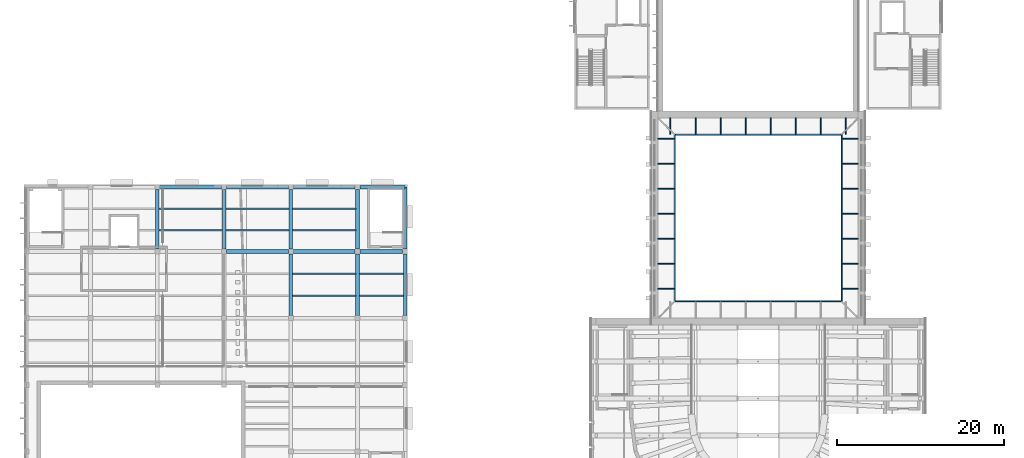
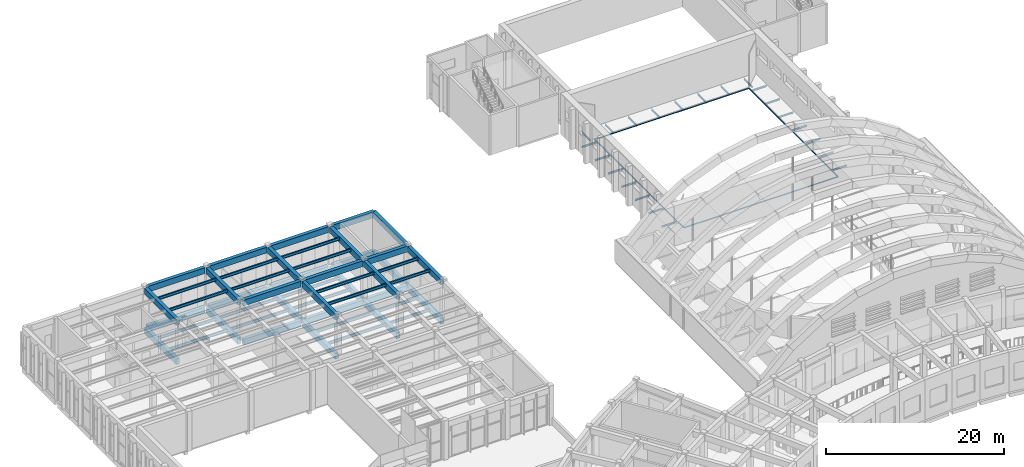
# One storey, part 48 of 94: 50 beams, 26 members.
"""IFC4 building model written with IfcOpenShell, lengths in metres."""

import ifcopenshell
import ifcopenshell.guid

model = None  # the IFC model being written
_history = None  # IfcOwnerHistory: only IFC2X3 demands one
_inside = {}  # id of a spatial element -> (the spatial element, [elements in it])
_under = {}  # id of a project, library or spatial element -> (it, [spatial elements below it])
_declared = {}  # id of a project -> (the project, [libraries it declares])
_typed = {}  # id of a type object -> (the type object, [elements of that type])
_made_of = {}  # id of a material, layer set ... -> (it, [elements and type objects made of it])


def new_model(schema):
    """Start an empty IFC model of exactly this schema.

    Asked for "IFC4X3", IfcOpenShell would pick the latest addendum, in which some entities
    have other attributes; the version numbers below select the first issue.
    IFC2X3 requires an IfcOwnerHistory on every rooted entity: one is made here for all.
    """
    global model, _history
    if schema == "IFC4X3":
        model = ifcopenshell.file(schema_version=(4, 3, 0, 0))
    else:
        model = ifcopenshell.file(schema=schema)
    _inside.clear()
    _under.clear()
    _declared.clear()
    _typed.clear()
    _made_of.clear()
    _history = None
    if model.schema == "IFC2X3":
        org = make("IfcOrganization", Name="unknown")
        user = make(
            "IfcPersonAndOrganization",
            ThePerson=make("IfcPerson", FamilyName="unknown"),
            TheOrganization=org,
        )
        app = make(
            "IfcApplication",
            ApplicationDeveloper=org,
            Version="unknown",
            ApplicationFullName="unknown",
            ApplicationIdentifier="unknown",
        )
        _history = make(
            "IfcOwnerHistory",
            OwningUser=user,
            OwningApplication=app,
            ChangeAction="ADDED",
            CreationDate=0,
        )
    return model


def make(cls, **values):
    """One entity of the class cls with the attributes given. An attribute that is None is left unset."""
    return model.create_entity(
        cls, **{name: value for name, value in values.items() if value is not None}
    )


def rooted(cls, **values):
    """An entity with a GlobalId (a new one), such as an element, a storey or a relation."""
    return make(cls, GlobalId=ifcopenshell.guid.new(), OwnerHistory=_history, **values)


def si_unit(unit_type, name, prefix=None):
    """IfcSIUnit, for example si_unit("LENGTHUNIT", "METRE", prefix="MILLI")."""
    return make("IfcSIUnit", UnitType=unit_type, Prefix=prefix, Name=name)


def assignment(units):
    """IfcUnitAssignment: the units of a project."""
    return None if units is None else make("IfcUnitAssignment", Units=units)


def point(xyz):
    """IfcCartesianPoint."""
    return None if xyz is None else make("IfcCartesianPoint", Coordinates=xyz)


def direction(xyz):
    """IfcDirection."""
    return None if xyz is None else make("IfcDirection", DirectionRatios=xyz)


def frame(location, z_axis=None, x_axis=None):
    """IfcAxis2Placement3D, a coordinate frame: its origin and axes. An axis left out is left unset."""
    return make(
        "IfcAxis2Placement3D",
        Location=point(location),
        Axis=direction(z_axis),
        RefDirection=direction(x_axis),
    )


def frame_2d(location, x_axis=None):
    """IfcAxis2Placement2D, a coordinate frame in the plane: its origin and x axis."""
    return make(
        "IfcAxis2Placement2D", Location=point(location), RefDirection=direction(x_axis)
    )


def origin():
    """The frame at (0, 0, 0) with its axes left unset."""
    return frame((0.0, 0.0, 0.0))


def origin_2d():
    """The frame at (0, 0) in the plane with its x axis left unset."""
    return frame_2d((0.0, 0.0))


def place(relative_to, where):
    """IfcLocalPlacement: puts the frame where relative to a parent placement (None: the world)."""
    return make(
        "IfcLocalPlacement", PlacementRelTo=relative_to, RelativePlacement=where
    )


def context(
    kind, dimensions, precision=None, world=None, true_north=None, identifier=None
):
    """IfcGeometricRepresentationContext, for example the 3D "Model" context."""
    return make(
        "IfcGeometricRepresentationContext",
        ContextIdentifier=identifier,
        ContextType=kind,
        CoordinateSpaceDimension=dimensions,
        Precision=precision,
        WorldCoordinateSystem=world,
        TrueNorth=true_north,
    )


def subcontext(parent, identifier, kind, view, scale=None):
    """IfcGeometricRepresentationSubContext, for example "Body" below "Model"."""
    return make(
        "IfcGeometricRepresentationSubContext",
        ContextIdentifier=identifier,
        ContextType=kind,
        ParentContext=parent,
        TargetScale=scale,
        TargetView=view,
    )


def project(units=None, contexts=None):
    """IfcProject with its units and contexts."""
    return rooted(
        "IfcProject",
        Name="project",
        RepresentationContexts=contexts,
        UnitsInContext=assignment(units),
    )


def spatial(cls, under=None, at=None, **own):
    """A site, building, storey or space (cls), placed at a placement, below another one or the project."""
    s = rooted(cls, ObjectPlacement=at, **own)
    if under is not None:
        _under.setdefault(under.id(), (under, []))[1].append(s)
    return s


def profile(cls, at=None, kind="AREA", **sizes):
    """A parametric profile (cls). Its sizes go by their IFC names, for example OverallWidth=200.0."""
    return make(cls, ProfileType=kind, Position=at, **sizes)


def rectangle(**sizes):
    """IfcRectangleProfileDef."""
    return profile("IfcRectangleProfileDef", **sizes)


def hollow_rectangle(**sizes):
    """IfcRectangleHollowProfileDef."""
    return profile("IfcRectangleHollowProfileDef", **sizes)


def i_section(**sizes):
    """IfcIShapeProfileDef."""
    return profile("IfcIShapeProfileDef", **sizes)


def extrude(swept, where, along, depth):
    """IfcExtrudedAreaSolid: the profile swept, set in the frame where, extruded along a direction by depth."""
    return make(
        "IfcExtrudedAreaSolid",
        SweptArea=swept,
        Position=where,
        ExtrudedDirection=direction(along),
        Depth=depth,
    )


def shape(context_of_items, identifier, shape_type, items):
    """IfcShapeRepresentation: the items that make up one representation, for example the "Body"."""
    return make(
        "IfcShapeRepresentation",
        ContextOfItems=context_of_items,
        RepresentationIdentifier=identifier,
        RepresentationType=shape_type,
        Items=items,
    )


def material(Name=None, Category=None):
    """IfcMaterial."""
    return make("IfcMaterial", Name=Name, Category=Category)


def material_profile(
    of_material, cross_section, Name=None, Category=None, Priority=None
):
    """IfcMaterialProfile: a cross section and its material."""
    return make(
        "IfcMaterialProfile",
        Name=Name,
        Material=of_material,
        Profile=cross_section,
        Priority=Priority,
        Category=Category,
    )


def profile_set(profiles, Name=None, composite=None):
    """IfcMaterialProfileSet."""
    return make(
        "IfcMaterialProfileSet",
        Name=Name,
        MaterialProfiles=profiles,
        CompositeProfile=composite,
    )


def made_of(thing, what):
    """Note that an element or type object is made of a material, layer set ...; save() writes the relation."""
    if what is not None:
        _made_of.setdefault(what.id(), (what, []))[1].append(thing)
    return thing


def type_object(cls, material=None, **own):
    """A type object (cls), such as IfcWallType, which elements share."""
    return made_of(rooted(cls, **own), material)


def element(
    cls,
    number,
    at=None,
    inside=None,
    cuts=None,
    type_object=None,
    material=None,
    context=None,
    identifier="Body",
    shape_type=None,
    held_by="IfcProductDefinitionShape",
    body=None,
    shapes=None,
    **own,
):
    """One element of the class cls, such as IfcWall. Its Tag is "e" and its number.

    at: its placement. inside: the storey or other place that contains it. cuts: it is an
    opening in that element (IfcRelVoidsElement). A single representation is given by context,
    identifier, shape_type and body (its items); several are given by shapes. held_by: the class
    of the entity that holds the representations. save() writes the other relations.
    """
    e = rooted(cls, Tag="e%d" % number, ObjectPlacement=at, **own)
    if body is not None:
        shapes = [shape(context, identifier, shape_type, body)]
    if shapes is not None:
        e.Representation = make(held_by, Representations=shapes)
    if inside is not None:
        _inside.setdefault(inside.id(), (inside, []))[1].append(e)
    if cuts is not None:
        rooted(
            "IfcRelVoidsElement", RelatingBuildingElement=cuts, RelatedOpeningElement=e
        )
    if type_object is not None:
        _typed.setdefault(type_object.id(), (type_object, []))[1].append(e)
    return made_of(e, material)


def aggregate(whole, parts):
    """IfcRelAggregates: a whole, such as a stair, and the parts it consists of."""
    return rooted("IfcRelAggregates", RelatingObject=whole, RelatedObjects=parts)


def save(model, path):
    """Write the relations noted so far, then the file.

    IfcRelAggregates (storeys below a building ...), IfcRelContainedInSpatialStructure (elements
    in a storey), IfcRelDefinesByType, IfcRelAssociatesMaterial and IfcRelDeclares: one each for
    every whole, place, type object, material and project.
    """
    for whole, parts in _under.values():
        aggregate(whole, parts)
    for where, things in _inside.values():
        rooted(
            "IfcRelContainedInSpatialStructure",
            RelatedElements=things,
            RelatingStructure=where,
        )
    for kind, things in _typed.values():
        rooted("IfcRelDefinesByType", RelatedObjects=things, RelatingType=kind)
    for what, things in _made_of.values():
        rooted("IfcRelAssociatesMaterial", RelatedObjects=things, RelatingMaterial=what)
    for by, libraries in _declared.values():
        rooted("IfcRelDeclares", RelatingContext=by, RelatedDefinitions=libraries)
    model.write(path)


model = new_model("IFC4")

# Units and contexts
model_context = context("Model", 3, precision=1e-05, world=origin(), true_north=direction((0.0, 1.0)))
body_context = subcontext(model_context, "Body", "Model", "MODEL_VIEW")
ifc_project = project(units=[si_unit("LENGTHUNIT", "METRE"), si_unit("AREAUNIT", "SQUARE_METRE"), si_unit("VOLUMEUNIT", "CUBIC_METRE"), si_unit("PLANEANGLEUNIT", "RADIAN"), si_unit("MASSUNIT", "GRAM", prefix="KILO")], contexts=[model_context])

# Site, building, storey
site_placement = place(None, origin())
site = spatial("IfcSite", under=ifc_project, at=site_placement, CompositionType="ELEMENT")
building_placement = place(site_placement, origin())
building = spatial("IfcBuilding", under=site, at=building_placement, Name="Lunette Opera House", CompositionType="ELEMENT")
storey_placement = place(building_placement, frame((0.0, 0.0, 22.5)))
storey = spatial("IfcBuildingStorey", under=building, at=storey_placement, Name="L04", CompositionType="ELEMENT", Elevation=22.5)

# Members
ifc_material_1 = material(Name="Steel S355", Category="steel")
ifc_material_profile_1 = material_profile(ifc_material_1, i_section(OverallWidth=0.1201171875, OverallDepth=0.239990234375, WebThickness=0.006103515625, FlangeThickness=0.009765625, FilletRadius=0.014892578125, at=origin_2d()), Name="IPE 240")
ifc_profile_set_1 = profile_set([ifc_material_profile_1], Name="Steel S355")
member_type_1 = type_object("IfcMemberType", Name="BRACKET IPE 240", PredefinedType="MEMBER", material=ifc_profile_set_1)
for number, where, z_axis, x_axis, name in (
    (1, (85.5, 120.010009765625, -0.179931640625), (0.0, -1.0, 0.0), (1.0, 0.0, 0.0), "mem-ST-L04-FG3-BKN855-1200"),
    (2, (88.5, 120.010009765625, -0.179931640625), (0.0, -1.0, 0.0), (1.0, 0.0, 0.0), "mem-ST-L04-FG3-BKN885-1200"),
    (3, (91.5, 120.010009765625, -0.179931640625), (0.0, -1.0, 0.0), (1.0, 0.0, 0.0), "mem-ST-L04-FG3-BKN915-1200"),
    (4, (94.5, 120.010009765625, -0.179931640625), (0.0, -1.0, 0.0), (1.0, 0.0, 0.0), "mem-ST-L04-FG3-BKN945-1200"),
    (5, (97.5, 120.010009765625, -0.179931640625), (0.0, -1.0, 0.0), (1.0, 0.0, 0.0), "mem-ST-L04-FG3-BKN975-1200"),
    (6, (100.5, 120.010009765625, -0.179931640625), (0.0, -1.0, 0.0), (1.0, 0.0, 0.0), "mem-ST-L04-FG3-BKN1005-1200"),
    (7, (103.5, 120.010009765625, -0.179931640625), (0.0, -1.0, 0.0), (1.0, 0.0, 0.0), "mem-ST-L04-FG3-BKN1035-1200"),
    (8, (106.5, 120.010009765625, -0.179931640625), (0.0, -1.0, 0.0), (1.0, 0.0, 0.0), "mem-ST-L04-FG3-BKN1065-1200"),
    (9, (83.989990234375, 99.5, -0.179931640625), (1.0, 0.0, 0.0), (0.0, 1.0, 0.0), "mem-ST-L04-FG3-BKW839-995"),
    (10, (108.010009765625, 99.5, -0.179931640625), (-1.0, 0.0, 0.0), (0.0, -1.0, 0.0), "mem-ST-L04-FG3-BKE1080-995"),
    (11, (83.989990234375, 102.5, -0.179931640625), (1.0, 0.0, 0.0), (0.0, 1.0, 0.0), "mem-ST-L04-FG3-BKW839-1025"),
    (12, (108.010009765625, 102.5, -0.179931640625), (-1.0, 0.0, 0.0), (0.0, -1.0, 0.0), "mem-ST-L04-FG3-BKE1080-1025"),
    (13, (83.989990234375, 105.5, -0.179931640625), (1.0, 0.0, 0.0), (0.0, 1.0, 0.0), "mem-ST-L04-FG3-BKW839-1055"),
    (14, (108.010009765625, 105.5, -0.179931640625), (-1.0, 0.0, 0.0), (0.0, -1.0, 0.0), "mem-ST-L04-FG3-BKE1080-1055"),
    (15, (83.989990234375, 108.5, -0.179931640625), (1.0, 0.0, 0.0), (0.0, 1.0, 0.0), "mem-ST-L04-FG3-BKW839-1085"),
    (16, (108.010009765625, 108.5, -0.179931640625), (-1.0, 0.0, 0.0), (0.0, -1.0, 0.0), "mem-ST-L04-FG3-BKE1080-1085"),
    (17, (83.989990234375, 111.5, -0.179931640625), (1.0, 0.0, 0.0), (0.0, 1.0, 0.0), "mem-ST-L04-FG3-BKW839-1115"),
    (18, (108.010009765625, 111.5, -0.179931640625), (-1.0, 0.0, 0.0), (0.0, -1.0, 0.0), "mem-ST-L04-FG3-BKE1080-1115"),
    (19, (83.989990234375, 114.5, -0.179931640625), (1.0, 0.0, 0.0), (0.0, 1.0, 0.0), "mem-ST-L04-FG3-BKW839-1145"),
    (20, (108.010009765625, 114.5, -0.179931640625), (-1.0, 0.0, 0.0), (0.0, -1.0, 0.0), "mem-ST-L04-FG3-BKE1080-1145"),
    (21, (83.989990234375, 117.5, -0.179931640625), (1.0, 0.0, 0.0), (0.0, 1.0, 0.0), "mem-ST-L04-FG3-BKW839-1175"),
    (22, (108.010009765625, 117.5, -0.179931640625), (-1.0, 0.0, 0.0), (0.0, -1.0, 0.0), "mem-ST-L04-FG3-BKE1080-1175"),
):
    element("IfcMember", number, at=place(storey_placement, frame(where, z_axis=z_axis, x_axis=x_axis)), inside=storey, type_object=member_type_1, Name=name, PredefinedType="MEMBER", context=body_context, shape_type="SweptSolid", body=[
        extrude(i_section(OverallWidth=0.1201171875, OverallDepth=0.239990234375, WebThickness=0.006103515625, FlangeThickness=0.009765625, FilletRadius=0.014892578125, at=origin_2d()), origin(), (0.0, 0.0, 1.0), 1.949951171875),
    ])
ifc_material_2 = material(Name="Steel S355", Category="steel")
ifc_material_profile_2 = material_profile(ifc_material_2, hollow_rectangle(XDim=0.1201171875, YDim=0.1201171875, WallThickness=0.006103515625, InnerFilletRadius=0.006103515625, OuterFilletRadius=0.011962890625, at=origin_2d()), Name="RHS 120X120X6")
ifc_profile_set_2 = profile_set([ifc_material_profile_2], Name="Steel S355")
member_type_2 = type_object("IfcMemberType", Name="EDGE RHS 120X120X6", PredefinedType="MEMBER", material=ifc_profile_set_2)
for number, where, z_axis, x_axis, name in (
    (23, (86.0, 98.0, -0.1201171875), (1.0, 0.0, 0.0), (0.0, 1.0, 0.0), "mem-ST-L04-FG3-EDS"),
    (24, (86.0, 118.0, -0.1201171875), (1.0, 0.0, 0.0), (0.0, 1.0, 0.0), "mem-ST-L04-FG3-EDN"),
    (25, (86.0, 98.0, -0.1201171875), (0.0, 1.0, 0.0), (-1.0, 0.0, 0.0), "mem-ST-L04-FG3-EDW"),
    (26, (106.0, 98.0, -0.1201171875), (0.0, 1.0, 0.0), (-1.0, 0.0, 0.0), "mem-ST-L04-FG3-EDE"),
):
    element("IfcMember", number, at=place(storey_placement, frame(where, z_axis=z_axis, x_axis=x_axis)), inside=storey, type_object=member_type_2, Name=name, PredefinedType="MEMBER", context=body_context, shape_type="SweptSolid", body=[
        extrude(hollow_rectangle(XDim=0.1201171875, YDim=0.1201171875, WallThickness=0.006103515625, InnerFilletRadius=0.006103515625, OuterFilletRadius=0.011962890625, at=origin_2d()), origin(), (0.0, 0.0, 1.0), 20.0),
    ])

# Beams
ifc_material_3 = material(Name="Concrete C35/45", Category="concrete")
ifc_material_profile_3 = material_profile(ifc_material_3, rectangle(XDim=0.449951171875, YDim=0.800048828125, at=origin_2d()), Name="RC BEAM 450X800")
ifc_profile_set_3 = profile_set([ifc_material_profile_3], Name="Concrete C35/45")
beam_type_1 = type_object("IfcBeamType", Name="RC BEAM 450X800", PredefinedType="BEAM", material=ifc_profile_set_3)
for number, where, z_axis, x_axis, name in (
    (27, (24.0, 104.2900390625, -0.550048828125), (0.0, 1.0, 0.0), (-1.0, 0.0, 0.0), "beam-RW-L04-L04-GY25"),
    (28, (32.0, 104.2900390625, -0.550048828125), (0.0, 1.0, 0.0), (-1.0, 0.0, 0.0), "beam-RW-L04-L04-GY35"),
):
    element("IfcBeam", number, at=place(storey_placement, frame(where, z_axis=z_axis, x_axis=x_axis)), inside=storey, type_object=beam_type_1, Name=name, PredefinedType="BEAM", context=body_context, shape_type="SweptSolid", body=[
        extrude(rectangle(XDim=0.449951171875, YDim=0.800048828125, at=origin_2d()), origin(), (0.0, 0.0, 1.0), 7.119873046875),
    ])
beam_1_placement = place(storey_placement, frame((40.0, 96.2900390625, -0.550048828125), z_axis=(0.0, 1.0, 0.0), x_axis=(-1.0, 0.0, 0.0)))
element("IfcBeam", 29, at=beam_1_placement, inside=storey, type_object=beam_type_1, Name="beam-RW-L04-L04-GY44", PredefinedType="BEAM", context=body_context, shape_type="SweptSolid", body=[
    extrude(rectangle(XDim=0.449951171875, YDim=0.800048828125, at=origin_2d()), origin(), (0.0, 0.0, 1.0), 7.419921875),
])
beam_2_placement = place(storey_placement, frame((40.0, 104.2900390625, -0.550048828125), z_axis=(0.0, 1.0, 0.0), x_axis=(-1.0, 0.0, 0.0)))
element("IfcBeam", 30, at=beam_2_placement, inside=storey, type_object=beam_type_1, Name="beam-RW-L04-L04-GY45", PredefinedType="BEAM", context=body_context, shape_type="SweptSolid", body=[
    extrude(rectangle(XDim=0.449951171875, YDim=0.800048828125, at=origin_2d()), origin(), (0.0, 0.0, 1.0), 7.119873046875),
])
beam_3_placement = place(storey_placement, frame((48.0, 96.2900390625, -0.550048828125), z_axis=(0.0, 1.0, 0.0), x_axis=(-1.0, 0.0, 0.0)))
element("IfcBeam", 31, at=beam_3_placement, inside=storey, type_object=beam_type_1, Name="beam-RW-L04-L04-GY54", PredefinedType="BEAM", context=body_context, shape_type="SweptSolid", body=[
    extrude(rectangle(XDim=0.449951171875, YDim=0.800048828125, at=origin_2d()), origin(), (0.0, 0.0, 1.0), 7.419921875),
])
beam_4_placement = place(storey_placement, frame((48.0, 104.2900390625, -0.550048828125), z_axis=(0.0, 1.0, 0.0), x_axis=(-1.0, 0.0, 0.0)))
element("IfcBeam", 32, at=beam_4_placement, inside=storey, type_object=beam_type_1, Name="beam-RW-L04-L04-GY55", PredefinedType="BEAM", context=body_context, shape_type="SweptSolid", body=[
    extrude(rectangle(XDim=0.449951171875, YDim=0.800048828125, at=origin_2d()), origin(), (0.0, 0.0, 1.0), 7.119873046875),
])
beam_5_placement = place(storey_placement, frame((53.699951171875, 96.2900390625, -0.550048828125), z_axis=(0.0, 1.0, 0.0), x_axis=(-1.0, 0.0, 0.0)))
element("IfcBeam", 33, at=beam_5_placement, inside=storey, type_object=beam_type_1, Name="beam-RW-L04-L04-GY64", PredefinedType="BEAM", context=body_context, shape_type="SweptSolid", body=[
    extrude(rectangle(XDim=0.449951171875, YDim=0.800048828125, at=origin_2d()), origin(), (0.0, 0.0, 1.0), 7.419921875),
])
beam_6_placement = place(storey_placement, frame((53.699951171875, 104.2900390625, -0.550048828125), z_axis=(0.0, 1.0, 0.0), x_axis=(-1.0, 0.0, 0.0)))
element("IfcBeam", 34, at=beam_6_placement, inside=storey, type_object=beam_type_1, Name="beam-RW-L04-L04-GY65", PredefinedType="BEAM", context=body_context, shape_type="SweptSolid", body=[
    extrude(rectangle(XDim=0.449951171875, YDim=0.800048828125, at=origin_2d()), origin(), (0.0, 0.0, 1.0), 7.409912109375),
])
for number, where, z_axis, x_axis, name in (
    (35, (32.2900390625, 104.0, -0.550048828125), (1.0, 0.0, 0.0), (0.0, 1.0, 0.0), "beam-RW-L04-L04-GX35"),
    (36, (40.2900390625, 104.0, -0.550048828125), (1.0, 0.0, 0.0), (0.0, 1.0, 0.0), "beam-RW-L04-L04-GX45"),
):
    element("IfcBeam", number, at=place(storey_placement, frame(where, z_axis=z_axis, x_axis=x_axis)), inside=storey, type_object=beam_type_1, Name=name, PredefinedType="BEAM", context=body_context, shape_type="SweptSolid", body=[
        extrude(rectangle(XDim=0.449951171875, YDim=0.800048828125, at=origin_2d()), origin(), (0.0, 0.0, 1.0), 7.419921875),
    ])
beam_7_placement = place(storey_placement, frame((48.2900390625, 104.0, -0.550048828125), z_axis=(1.0, 0.0, 0.0), x_axis=(0.0, 1.0, 0.0)))
element("IfcBeam", 37, at=beam_7_placement, inside=storey, type_object=beam_type_1, Name="beam-RW-L04-L04-GX55", PredefinedType="BEAM", context=body_context, shape_type="SweptSolid", body=[
    extrude(rectangle(XDim=0.449951171875, YDim=0.800048828125, at=origin_2d()), origin(), (0.0, 0.0, 1.0), 5.119873046875),
])
for number, where, z_axis, x_axis, name in (
    (38, (24.2900390625, 111.699951171875, -0.550048828125), (1.0, 0.0, 0.0), (0.0, 1.0, 0.0), "beam-RW-L04-L04-GX26"),
    (39, (32.2900390625, 111.699951171875, -0.550048828125), (1.0, 0.0, 0.0), (0.0, 1.0, 0.0), "beam-RW-L04-L04-GX36"),
    (40, (40.2900390625, 111.699951171875, -0.550048828125), (1.0, 0.0, 0.0), (0.0, 1.0, 0.0), "beam-RW-L04-L04-GX46"),
):
    element("IfcBeam", number, at=place(storey_placement, frame(where, z_axis=z_axis, x_axis=x_axis)), inside=storey, type_object=beam_type_1, Name=name, PredefinedType="BEAM", context=body_context, shape_type="SweptSolid", body=[
        extrude(rectangle(XDim=0.449951171875, YDim=0.800048828125, at=origin_2d()), origin(), (0.0, 0.0, 1.0), 7.419921875),
    ])
beam_8_placement = place(storey_placement, frame((48.2900390625, 111.699951171875, -0.550048828125), z_axis=(1.0, 0.0, 0.0), x_axis=(0.0, 1.0, 0.0)))
element("IfcBeam", 41, at=beam_8_placement, inside=storey, type_object=beam_type_1, Name="beam-RW-L04-L04-GX56", PredefinedType="BEAM", context=body_context, shape_type="SweptSolid", body=[
    extrude(rectangle(XDim=0.449951171875, YDim=0.800048828125, at=origin_2d()), origin(), (0.0, 0.0, 1.0), 5.409912109375),
])
for number, where, z_axis, x_axis, name in (
    (42, (24.0, 104.2900390625, 4.85009765625), (0.0, 1.0, 0.0), (-1.0, 0.0, 0.0), "beam-RW-L04-L04R-GY25"),
    (43, (32.0, 104.2900390625, 4.85009765625), (0.0, 1.0, 0.0), (-1.0, 0.0, 0.0), "beam-RW-L04-L04R-GY35"),
):
    element("IfcBeam", number, at=place(storey_placement, frame(where, z_axis=z_axis, x_axis=x_axis)), inside=storey, type_object=beam_type_1, Name=name, PredefinedType="BEAM", context=body_context, shape_type="SweptSolid", body=[
        extrude(rectangle(XDim=0.449951171875, YDim=0.800048828125, at=origin_2d()), origin(), (0.0, 0.0, 1.0), 7.119873046875),
    ])
beam_9_placement = place(storey_placement, frame((40.0, 96.2900390625, 4.85009765625), z_axis=(0.0, 1.0, 0.0), x_axis=(-1.0, 0.0, 0.0)))
element("IfcBeam", 44, at=beam_9_placement, inside=storey, type_object=beam_type_1, Name="beam-RW-L04-L04R-GY44", PredefinedType="BEAM", context=body_context, shape_type="SweptSolid", body=[
    extrude(rectangle(XDim=0.449951171875, YDim=0.800048828125, at=origin_2d()), origin(), (0.0, 0.0, 1.0), 7.419921875),
])
beam_10_placement = place(storey_placement, frame((40.0, 104.2900390625, 4.85009765625), z_axis=(0.0, 1.0, 0.0), x_axis=(-1.0, 0.0, 0.0)))
element("IfcBeam", 45, at=beam_10_placement, inside=storey, type_object=beam_type_1, Name="beam-RW-L04-L04R-GY45", PredefinedType="BEAM", context=body_context, shape_type="SweptSolid", body=[
    extrude(rectangle(XDim=0.449951171875, YDim=0.800048828125, at=origin_2d()), origin(), (0.0, 0.0, 1.0), 7.119873046875),
])
beam_11_placement = place(storey_placement, frame((48.0, 96.2900390625, 4.85009765625), z_axis=(0.0, 1.0, 0.0), x_axis=(-1.0, 0.0, 0.0)))
element("IfcBeam", 46, at=beam_11_placement, inside=storey, type_object=beam_type_1, Name="beam-RW-L04-L04R-GY54", PredefinedType="BEAM", context=body_context, shape_type="SweptSolid", body=[
    extrude(rectangle(XDim=0.449951171875, YDim=0.800048828125, at=origin_2d()), origin(), (0.0, 0.0, 1.0), 7.419921875),
])
beam_12_placement = place(storey_placement, frame((48.0, 104.2900390625, 4.85009765625), z_axis=(0.0, 1.0, 0.0), x_axis=(-1.0, 0.0, 0.0)))
element("IfcBeam", 47, at=beam_12_placement, inside=storey, type_object=beam_type_1, Name="beam-RW-L04-L04R-GY55", PredefinedType="BEAM", context=body_context, shape_type="SweptSolid", body=[
    extrude(rectangle(XDim=0.449951171875, YDim=0.800048828125, at=origin_2d()), origin(), (0.0, 0.0, 1.0), 7.119873046875),
])
beam_13_placement = place(storey_placement, frame((53.699951171875, 96.2900390625, 4.85009765625), z_axis=(0.0, 1.0, 0.0), x_axis=(-1.0, 0.0, 0.0)))
element("IfcBeam", 48, at=beam_13_placement, inside=storey, type_object=beam_type_1, Name="beam-RW-L04-L04R-GY64", PredefinedType="BEAM", context=body_context, shape_type="SweptSolid", body=[
    extrude(rectangle(XDim=0.449951171875, YDim=0.800048828125, at=origin_2d()), origin(), (0.0, 0.0, 1.0), 7.419921875),
])
beam_14_placement = place(storey_placement, frame((53.699951171875, 104.2900390625, 4.85009765625), z_axis=(0.0, 1.0, 0.0), x_axis=(-1.0, 0.0, 0.0)))
element("IfcBeam", 49, at=beam_14_placement, inside=storey, type_object=beam_type_1, Name="beam-RW-L04-L04R-GY65", PredefinedType="BEAM", context=body_context, shape_type="SweptSolid", body=[
    extrude(rectangle(XDim=0.449951171875, YDim=0.800048828125, at=origin_2d()), origin(), (0.0, 0.0, 1.0), 7.409912109375),
])
for number, where, z_axis, x_axis, name in (
    (50, (32.2900390625, 104.0, 4.85009765625), (1.0, 0.0, 0.0), (0.0, 1.0, 0.0), "beam-RW-L04-L04R-GX35"),
    (51, (40.2900390625, 104.0, 4.85009765625), (1.0, 0.0, 0.0), (0.0, 1.0, 0.0), "beam-RW-L04-L04R-GX45"),
):
    element("IfcBeam", number, at=place(storey_placement, frame(where, z_axis=z_axis, x_axis=x_axis)), inside=storey, type_object=beam_type_1, Name=name, PredefinedType="BEAM", context=body_context, shape_type="SweptSolid", body=[
        extrude(rectangle(XDim=0.449951171875, YDim=0.800048828125, at=origin_2d()), origin(), (0.0, 0.0, 1.0), 7.419921875),
    ])
beam_15_placement = place(storey_placement, frame((48.2900390625, 104.0, 4.85009765625), z_axis=(1.0, 0.0, 0.0), x_axis=(0.0, 1.0, 0.0)))
element("IfcBeam", 52, at=beam_15_placement, inside=storey, type_object=beam_type_1, Name="beam-RW-L04-L04R-GX55", PredefinedType="BEAM", context=body_context, shape_type="SweptSolid", body=[
    extrude(rectangle(XDim=0.449951171875, YDim=0.800048828125, at=origin_2d()), origin(), (0.0, 0.0, 1.0), 5.119873046875),
])
for number, where, z_axis, x_axis, name in (
    (53, (24.2900390625, 111.699951171875, 4.85009765625), (1.0, 0.0, 0.0), (0.0, 1.0, 0.0), "beam-RW-L04-L04R-GX26"),
    (54, (32.2900390625, 111.699951171875, 4.85009765625), (1.0, 0.0, 0.0), (0.0, 1.0, 0.0), "beam-RW-L04-L04R-GX36"),
    (55, (40.2900390625, 111.699951171875, 4.85009765625), (1.0, 0.0, 0.0), (0.0, 1.0, 0.0), "beam-RW-L04-L04R-GX46"),
):
    element("IfcBeam", number, at=place(storey_placement, frame(where, z_axis=z_axis, x_axis=x_axis)), inside=storey, type_object=beam_type_1, Name=name, PredefinedType="BEAM", context=body_context, shape_type="SweptSolid", body=[
        extrude(rectangle(XDim=0.449951171875, YDim=0.800048828125, at=origin_2d()), origin(), (0.0, 0.0, 1.0), 7.419921875),
    ])
beam_16_placement = place(storey_placement, frame((48.2900390625, 111.699951171875, 4.85009765625), z_axis=(1.0, 0.0, 0.0), x_axis=(0.0, 1.0, 0.0)))
element("IfcBeam", 56, at=beam_16_placement, inside=storey, type_object=beam_type_1, Name="beam-RW-L04-L04R-GX56", PredefinedType="BEAM", context=body_context, shape_type="SweptSolid", body=[
    extrude(rectangle(XDim=0.449951171875, YDim=0.800048828125, at=origin_2d()), origin(), (0.0, 0.0, 1.0), 5.409912109375),
])
ifc_material_4 = material(Name="Steel S355", Category="steel")
ifc_material_profile_4 = material_profile(ifc_material_4, i_section(OverallWidth=0.179931640625, OverallDepth=0.39990234375, WebThickness=0.008544921875, FlangeThickness=0.013427734375, FilletRadius=0.02099609375, at=origin_2d()), Name="IPE 400")
ifc_profile_set_4 = profile_set([ifc_material_profile_4], Name="Steel S355")
beam_type_2 = type_object("IfcBeamType", Name="STEEL BEAM IPE 400", PredefinedType="BEAM", material=ifc_profile_set_4)
for number, where, z_axis, x_axis, name in (
    (57, (24.215087890625, 106.56689453125, -0.35009765625), (1.0, 0.0, 0.0), (0.0, 1.0, 0.0), "beam-RW-L04-L04-SX251"),
    (58, (24.215087890625, 109.133056640625, -0.35009765625), (1.0, 0.0, 0.0), (0.0, 1.0, 0.0), "beam-RW-L04-L04-SX252"),
    (59, (32.215087890625, 106.56689453125, -0.35009765625), (1.0, 0.0, 0.0), (0.0, 1.0, 0.0), "beam-RW-L04-L04-SX351"),
    (60, (32.215087890625, 109.133056640625, -0.35009765625), (1.0, 0.0, 0.0), (0.0, 1.0, 0.0), "beam-RW-L04-L04-SX352"),
    (61, (40.215087890625, 98.6669921875, -0.35009765625), (1.0, 0.0, 0.0), (0.0, 1.0, 0.0), "beam-RW-L04-L04-SX441"),
    (62, (40.215087890625, 101.3330078125, -0.35009765625), (1.0, 0.0, 0.0), (0.0, 1.0, 0.0), "beam-RW-L04-L04-SX442"),
    (63, (40.215087890625, 106.56689453125, -0.35009765625), (1.0, 0.0, 0.0), (0.0, 1.0, 0.0), "beam-RW-L04-L04-SX451"),
    (64, (40.215087890625, 109.133056640625, -0.35009765625), (1.0, 0.0, 0.0), (0.0, 1.0, 0.0), "beam-RW-L04-L04-SX452"),
):
    element("IfcBeam", number, at=place(storey_placement, frame(where, z_axis=z_axis, x_axis=x_axis)), inside=storey, type_object=beam_type_2, Name=name, PredefinedType="BEAM", context=body_context, shape_type="SweptSolid", body=[
        extrude(i_section(OverallWidth=0.179931640625, OverallDepth=0.39990234375, WebThickness=0.008544921875, FlangeThickness=0.013427734375, FilletRadius=0.02099609375, at=origin_2d()), origin(), (0.0, 0.0, 1.0), 7.56982421875),
    ])
for number, where, z_axis, x_axis, name in (
    (65, (48.215087890625, 98.6669921875, -0.35009765625), (1.0, 0.0, 0.0), (0.0, 1.0, 0.0), "beam-RW-L04-L04-SX541"),
    (66, (48.215087890625, 101.3330078125, -0.35009765625), (1.0, 0.0, 0.0), (0.0, 1.0, 0.0), "beam-RW-L04-L04-SX542"),
):
    element("IfcBeam", number, at=place(storey_placement, frame(where, z_axis=z_axis, x_axis=x_axis)), inside=storey, type_object=beam_type_2, Name=name, PredefinedType="BEAM", context=body_context, shape_type="SweptSolid", body=[
        extrude(i_section(OverallWidth=0.179931640625, OverallDepth=0.39990234375, WebThickness=0.008544921875, FlangeThickness=0.013427734375, FilletRadius=0.02099609375, at=origin_2d()), origin(), (0.0, 0.0, 1.0), 5.27001953125),
    ])
for number, where, z_axis, x_axis, name in (
    (67, (24.215087890625, 106.56689453125, 5.050048828125), (1.0, 0.0, 0.0), (0.0, 1.0, 0.0), "beam-RW-L04-L04R-SX251"),
    (68, (24.215087890625, 109.133056640625, 5.050048828125), (1.0, 0.0, 0.0), (0.0, 1.0, 0.0), "beam-RW-L04-L04R-SX252"),
    (69, (32.215087890625, 106.56689453125, 5.050048828125), (1.0, 0.0, 0.0), (0.0, 1.0, 0.0), "beam-RW-L04-L04R-SX351"),
    (70, (32.215087890625, 109.133056640625, 5.050048828125), (1.0, 0.0, 0.0), (0.0, 1.0, 0.0), "beam-RW-L04-L04R-SX352"),
    (71, (40.215087890625, 98.6669921875, 5.050048828125), (1.0, 0.0, 0.0), (0.0, 1.0, 0.0), "beam-RW-L04-L04R-SX441"),
    (72, (40.215087890625, 101.3330078125, 5.050048828125), (1.0, 0.0, 0.0), (0.0, 1.0, 0.0), "beam-RW-L04-L04R-SX442"),
    (73, (40.215087890625, 106.56689453125, 5.050048828125), (1.0, 0.0, 0.0), (0.0, 1.0, 0.0), "beam-RW-L04-L04R-SX451"),
    (74, (40.215087890625, 109.133056640625, 5.050048828125), (1.0, 0.0, 0.0), (0.0, 1.0, 0.0), "beam-RW-L04-L04R-SX452"),
):
    element("IfcBeam", number, at=place(storey_placement, frame(where, z_axis=z_axis, x_axis=x_axis)), inside=storey, type_object=beam_type_2, Name=name, PredefinedType="BEAM", context=body_context, shape_type="SweptSolid", body=[
        extrude(i_section(OverallWidth=0.179931640625, OverallDepth=0.39990234375, WebThickness=0.008544921875, FlangeThickness=0.013427734375, FilletRadius=0.02099609375, at=origin_2d()), origin(), (0.0, 0.0, 1.0), 7.56982421875),
    ])
for number, where, z_axis, x_axis, name in (
    (75, (48.215087890625, 98.6669921875, 5.050048828125), (1.0, 0.0, 0.0), (0.0, 1.0, 0.0), "beam-RW-L04-L04R-SX541"),
    (76, (48.215087890625, 101.3330078125, 5.050048828125), (1.0, 0.0, 0.0), (0.0, 1.0, 0.0), "beam-RW-L04-L04R-SX542"),
):
    element("IfcBeam", number, at=place(storey_placement, frame(where, z_axis=z_axis, x_axis=x_axis)), inside=storey, type_object=beam_type_2, Name=name, PredefinedType="BEAM", context=body_context, shape_type="SweptSolid", body=[
        extrude(i_section(OverallWidth=0.179931640625, OverallDepth=0.39990234375, WebThickness=0.008544921875, FlangeThickness=0.013427734375, FilletRadius=0.02099609375, at=origin_2d()), origin(), (0.0, 0.0, 1.0), 5.27001953125),
    ])

save(model, "model.ifc")
